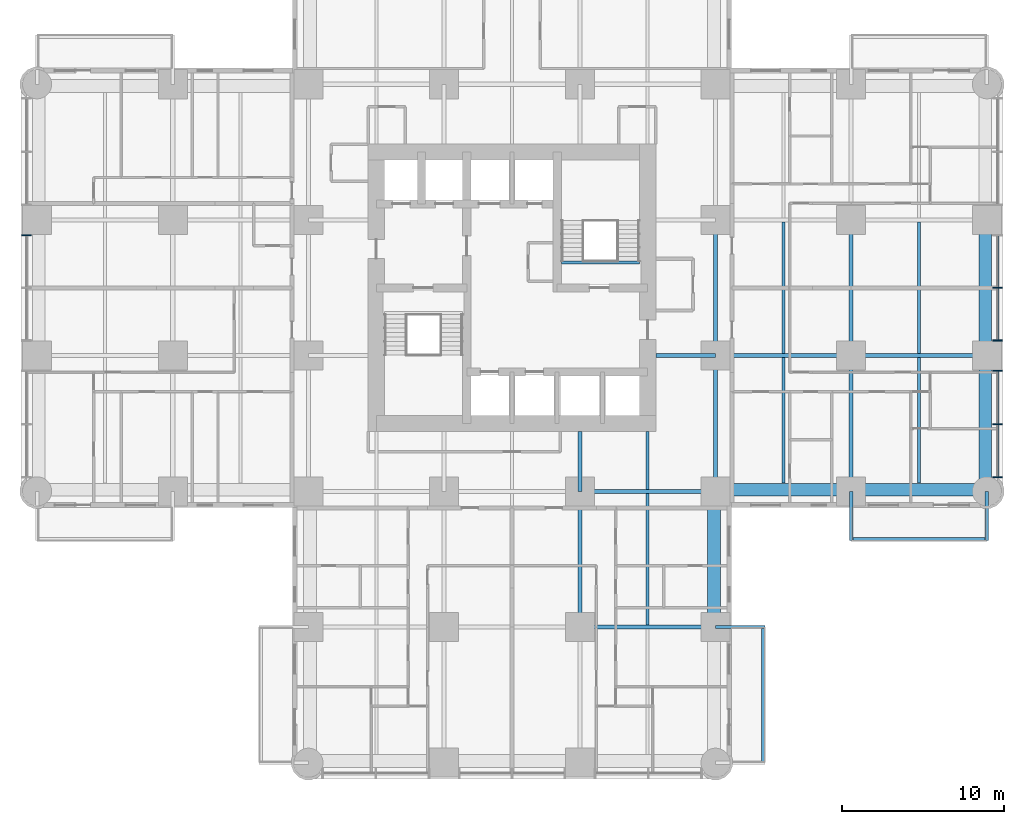
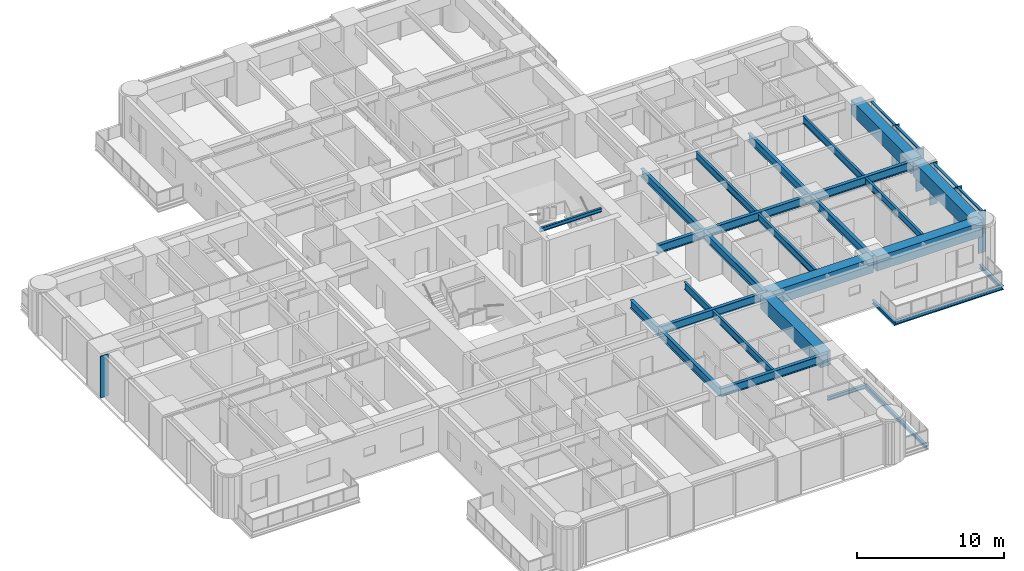
# One storey, part 3 of 17: 28 beams, 10 members, 2 elements without a shape of their own.
"""IFC4 building model written with IfcOpenShell, lengths in metres."""

from ifc_helpers import new_model, si_unit, direction, frame, origin, origin_2d, place, context, subcontext, project, spatial, rectangle, i_section, extrude, material, material_profile, profile_set, type_object, element, aggregate, save


model = new_model("IFC4")

# Units and contexts
model_context = context("Model", 3, precision=1e-05, world=origin(), true_north=direction((0.0, 1.0)))
body_context = subcontext(model_context, "Body", "Model", "MODEL_VIEW")
ifc_project = project(units=[si_unit("LENGTHUNIT", "METRE"), si_unit("AREAUNIT", "SQUARE_METRE"), si_unit("VOLUMEUNIT", "CUBIC_METRE"), si_unit("PLANEANGLEUNIT", "RADIAN"), si_unit("MASSUNIT", "GRAM", prefix="KILO")], contexts=[model_context])

# Site, building, storey
site_placement = place(None, origin())
site = spatial("IfcSite", under=ifc_project, at=site_placement, CompositionType="ELEMENT")
building_placement = place(site_placement, origin())
building = spatial("IfcBuilding", under=site, at=building_placement, Name="Torre Alcanfor", CompositionType="ELEMENT")
storey_placement = place(building_placement, frame((0.0, 0.0, 38.10009765625)))
storey = spatial("IfcBuildingStorey", under=building, at=storey_placement, Name="L08", CompositionType="ELEMENT", Elevation=38.10009765625)

# Beams
ifc_material_1 = material(Name="Steel ASTM A992 Grade 50", Category="steel")
ifc_material_profile_1 = material_profile(ifc_material_1, i_section(OverallWidth=0.205322265625, OverallDepth=0.309814453125, WebThickness=0.00927734375, FlangeThickness=0.016357421875, at=origin_2d()), Name="W12x50")
ifc_profile_set_1 = profile_set([ifc_material_profile_1], Name="Steel ASTM A992 Grade 50")
beam_type_1 = type_object("IfcBeamType", Name="Balcony cantilever beam W12x50", PredefinedType="BEAM", material=ifc_profile_set_1)
for number, where, z_axis, x_axis, name in (
    (1, (50.39990234375, 16.800048828125, -0.35498046875), (0.0, -1.0, 0.0), (1.0, 0.0, 0.0), "Balcony cantilever beam L08-E2 1"),
    (2, (58.800048828125, 16.800048828125, -0.35498046875), (0.0, -1.0, 0.0), (1.0, 0.0, 0.0), "Balcony cantilever beam L08-E2 2"),
    (3, (42.0, 8.39990234375, -0.35498046875), (1.0, 0.0, 0.0), (0.0, 1.0, 0.0), "Balcony cantilever beam L08-S1 1"),
):
    element("IfcBeam", number, at=place(storey_placement, frame(where, z_axis=z_axis, x_axis=x_axis)), inside=storey, type_object=beam_type_1, Name=name, PredefinedType="BEAM", context=body_context, shape_type="SweptSolid", body=[
        extrude(i_section(OverallWidth=0.205322265625, OverallDepth=0.309814453125, WebThickness=0.00927734375, FlangeThickness=0.016357421875, at=origin_2d()), origin(), (0.0, 0.0, 1.0), 3.050048828125),
    ])
ifc_material_2 = material(Name="Steel ASTM A992 Grade 50", Category="steel")
ifc_material_profile_2 = material_profile(ifc_material_2, i_section(OverallWidth=0.203369140625, OverallDepth=0.30224609375, WebThickness=0.007568359375, FlangeThickness=0.01318359375, at=origin_2d()), Name="W12x40")
ifc_profile_set_2 = profile_set([ifc_material_profile_2], Name="Steel ASTM A992 Grade 50")
beam_type_2 = type_object("IfcBeamType", Name="Balcony edge trimmer W12x40", PredefinedType="BEAM", material=ifc_profile_set_2)
beam_1_placement = place(storey_placement, frame((50.39990234375, 13.851806640625, -0.351318359375), z_axis=(1.0, 0.0, 0.0), x_axis=(0.0, 1.0, 0.0)))
element("IfcBeam", 4, at=beam_1_placement, inside=storey, type_object=beam_type_2, Name="Balcony edge trimmer L08-E2", PredefinedType="BEAM", context=body_context, shape_type="SweptSolid", body=[
    extrude(i_section(OverallWidth=0.203369140625, OverallDepth=0.30224609375, WebThickness=0.007568359375, FlangeThickness=0.01318359375, at=origin_2d()), origin(), (0.0, 0.0, 1.0), 8.400146484375),
])
beam_2_placement = place(storey_placement, frame((44.9482421875, 8.39990234375, -0.351318359375), z_axis=(0.0, -1.0, 0.0), x_axis=(1.0, 0.0, 0.0)))
element("IfcBeam", 5, at=beam_2_placement, inside=storey, type_object=beam_type_2, Name="Balcony edge trimmer L08-S1", PredefinedType="BEAM", context=body_context, shape_type="SweptSolid", body=[
    extrude(i_section(OverallWidth=0.203369140625, OverallDepth=0.30224609375, WebThickness=0.007568359375, FlangeThickness=0.01318359375, at=origin_2d()), origin(), (0.0, 0.0, 1.0), 8.39990234375),
])

# Curtain wall, member
ifc_material_3 = material(Name="Aluminium and glass", Category="aluminium")
curtain_wall_type = type_object("IfcCurtainWallType", Name="CW-A unitised apartment glazing with vertical FIN", PredefinedType="NOTDEFINED", material=ifc_material_3)
curtain_wall_1_placement = place(storey_placement, origin())
curtain_wall_1 = element("IfcCurtainWall", 6, at=curtain_wall_1_placement, inside=storey, type_object=curtain_wall_type, Name="Curtain wall CW-A L08 2", PredefinedType="NOTDEFINED")
ifc_material_4 = material(Name="Bronze anodised aluminium", Category="aluminium")
ifc_material_profile_3 = material_profile(ifc_material_4, rectangle(XDim=0.60009765625, YDim=0.06494140625, at=origin_2d()), Name="CW-A mullion 65x600")
ifc_profile_set_3 = profile_set([ifc_material_profile_3], Name="Bronze anodised aluminium")
member_type_1 = type_object("IfcMemberType", Name="CW-A mullion with vertical FIN 65x600", PredefinedType="MULLION", material=ifc_profile_set_3)
member_1_placement = place(storey_placement, frame((-0.64990234375, 32.66259765625, 0.0), z_axis=(0.0, 0.0, 1.0), x_axis=(1.0, 0.0, 0.0)))
member_1 = element("IfcMember", 7, at=member_1_placement, type_object=member_type_1, Name="CW-A mullion 2.1", PredefinedType="MULLION", context=body_context, shape_type="SweptSolid", body=[
    extrude(rectangle(XDim=0.60009765625, YDim=0.06494140625, at=origin_2d()), origin(), (0.0, 0.0, 1.0), 3.449951171875),
])
aggregate(curtain_wall_1, [member_1])

# Curtain wall, members
curtain_wall_2_placement = place(storey_placement, origin())
curtain_wall_2 = element("IfcCurtainWall", 8, at=curtain_wall_2_placement, inside=storey, type_object=curtain_wall_type, Name="Curtain wall CW-A L08 8", PredefinedType="NOTDEFINED")
member_2_placement = place(storey_placement, frame((59.449951171875, 17.6669921875, 0.0), z_axis=(0.0, 0.0, 1.0), x_axis=(-1.0, 0.0, 0.0)))
member_2 = element("IfcMember", 9, at=member_2_placement, type_object=member_type_1, Name="CW-A mullion 1.1", PredefinedType="MULLION", context=body_context, shape_type="SweptSolid", body=[
    extrude(rectangle(XDim=0.60009765625, YDim=0.06494140625, at=origin_2d()), origin(), (0.0, 0.0, 1.0), 3.449951171875),
])
member_3_placement = place(storey_placement, frame((59.449951171875, 20.96484375, 0.0), z_axis=(0.0, 0.0, 1.0), x_axis=(-1.0, 0.0, 0.0)))
member_3 = element("IfcMember", 10, at=member_3_placement, type_object=member_type_1, Name="CW-A mullion 1.2", PredefinedType="MULLION", context=body_context, shape_type="SweptSolid", body=[
    extrude(rectangle(XDim=0.60009765625, YDim=0.06494140625, at=origin_2d()), origin(), (0.0, 0.0, 1.0), 3.449951171875),
])
member_4_placement = place(storey_placement, frame((59.449951171875, 24.262451171875, 0.0), z_axis=(0.0, 0.0, 1.0), x_axis=(-1.0, 0.0, 0.0)))
member_4 = element("IfcMember", 11, at=member_4_placement, type_object=member_type_1, Name="CW-A mullion 1.3", PredefinedType="MULLION", context=body_context, shape_type="SweptSolid", body=[
    extrude(rectangle(XDim=0.60009765625, YDim=0.06494140625, at=origin_2d()), origin(), (0.0, 0.0, 1.0), 3.449951171875),
])
member_5_placement = place(storey_placement, frame((59.449951171875, 26.137451171875, 0.0), z_axis=(0.0, 0.0, 1.0), x_axis=(-1.0, 0.0, 0.0)))
member_5 = element("IfcMember", 12, at=member_5_placement, type_object=member_type_1, Name="CW-A mullion 2.1", PredefinedType="MULLION", context=body_context, shape_type="SweptSolid", body=[
    extrude(rectangle(XDim=0.60009765625, YDim=0.06494140625, at=origin_2d()), origin(), (0.0, 0.0, 1.0), 3.449951171875),
])
member_6_placement = place(storey_placement, frame((59.449951171875, 29.39990234375, 0.0), z_axis=(0.0, 0.0, 1.0), x_axis=(-1.0, 0.0, 0.0)))
member_6 = element("IfcMember", 13, at=member_6_placement, type_object=member_type_1, Name="CW-A mullion 2.2", PredefinedType="MULLION", context=body_context, shape_type="SweptSolid", body=[
    extrude(rectangle(XDim=0.60009765625, YDim=0.06494140625, at=origin_2d()), origin(), (0.0, 0.0, 1.0), 3.449951171875),
])
ifc_material_5 = material(Name="Extruded aluminium", Category="aluminium")
ifc_material_profile_4 = material_profile(ifc_material_5, rectangle(XDim=0.199951171875, YDim=0.06494140625, at=origin_2d()), Name="CW-A transom 200x65")
ifc_profile_set_4 = profile_set([ifc_material_profile_4], Name="Extruded aluminium")
member_type_2 = type_object("IfcMemberType", Name="CW-A transom 65x200", PredefinedType="USERDEFINED", material=ifc_profile_set_4)
member_7_placement = place(storey_placement, frame((59.449951171875, 17.699462890625, 3.41748046875), z_axis=(0.0, 1.0, 0.0), x_axis=(-1.0, 0.0, 0.0)))
member_7 = element("IfcMember", 14, at=member_7_placement, type_object=member_type_2, Name="CW-A transom 1.1.2", ObjectType="TRANSOM", PredefinedType="USERDEFINED", context=body_context, shape_type="SweptSolid", body=[
    extrude(rectangle(XDim=0.199951171875, YDim=0.06494140625, at=origin_2d()), origin(), (0.0, 0.0, 1.0), 3.232666015625),
])
member_8_placement = place(storey_placement, frame((59.449951171875, 20.997314453125, 3.41748046875), z_axis=(0.0, 1.0, 0.0), x_axis=(-1.0, 0.0, 0.0)))
member_8 = element("IfcMember", 15, at=member_8_placement, type_object=member_type_2, Name="CW-A transom 1.2.2", ObjectType="TRANSOM", PredefinedType="USERDEFINED", context=body_context, shape_type="SweptSolid", body=[
    extrude(rectangle(XDim=0.199951171875, YDim=0.06494140625, at=origin_2d()), origin(), (0.0, 0.0, 1.0), 3.232666015625),
])
member_9_placement = place(storey_placement, frame((59.449951171875, 26.169921875, 3.41748046875), z_axis=(0.0, 1.0, 0.0), x_axis=(-1.0, 0.0, 0.0)))
member_9 = element("IfcMember", 16, at=member_9_placement, type_object=member_type_2, Name="CW-A transom 2.1.2", ObjectType="TRANSOM", PredefinedType="USERDEFINED", context=body_context, shape_type="SweptSolid", body=[
    extrude(rectangle(XDim=0.199951171875, YDim=0.06494140625, at=origin_2d()), origin(), (0.0, 0.0, 1.0), 3.197509765625),
])
member_10_placement = place(storey_placement, frame((59.449951171875, 29.4326171875, 3.41748046875), z_axis=(0.0, 1.0, 0.0), x_axis=(-1.0, 0.0, 0.0)))
member_10 = element("IfcMember", 17, at=member_10_placement, type_object=member_type_2, Name="CW-A transom 2.2.2", ObjectType="TRANSOM", PredefinedType="USERDEFINED", context=body_context, shape_type="SweptSolid", body=[
    extrude(rectangle(XDim=0.199951171875, YDim=0.06494140625, at=origin_2d()), origin(), (0.0, 0.0, 1.0), 3.197265625),
])
aggregate(curtain_wall_2, [member_2, member_3, member_4, member_7, member_8, member_5, member_6, member_9, member_10])

# Beams
ifc_material_6 = material(Name="Steel ASTM A992 Grade 50", Category="steel")
ifc_material_profile_5 = material_profile(ifc_material_6, i_section(OverallWidth=0.25390625, OverallDepth=0.683349609375, WebThickness=0.012451171875, FlangeThickness=0.01904296875, at=origin_2d()), Name="W27x94")
ifc_profile_set_5 = profile_set([ifc_material_profile_5], Name="Steel ASTM A992 Grade 50")
beam_type_3 = type_object("IfcBeamType", Name="Girder W27x94", PredefinedType="BEAM", material=ifc_profile_set_5)
for number, where, z_axis, x_axis, name in (
    (18, (33.60009765625, 8.39990234375, 3.108154296875), (1.0, 0.0, 0.0), (0.0, 1.0, 0.0), "Beam 5D-6D under L09"),
    (19, (33.60009765625, 16.800048828125, 3.108154296875), (1.0, 0.0, 0.0), (0.0, 1.0, 0.0), "Beam 5E-6E under L09"),
    (20, (42.0, 25.199951171875, 3.108154296875), (1.0, 0.0, 0.0), (0.0, 1.0, 0.0), "Beam 6F-7F under L09"),
):
    element("IfcBeam", number, at=place(storey_placement, frame(where, z_axis=z_axis, x_axis=x_axis)), inside=storey, type_object=beam_type_3, Name=name, PredefinedType="BEAM", context=body_context, shape_type="SweptSolid", body=[
        extrude(i_section(OverallWidth=0.25390625, OverallDepth=0.683349609375, WebThickness=0.012451171875, FlangeThickness=0.01904296875, at=origin_2d()), origin(), (0.0, 0.0, 1.0), 8.39990234375),
    ])
for number, where, z_axis, x_axis, name in (
    (21, (50.39990234375, 25.199951171875, 3.108154296875), (1.0, 0.0, 0.0), (0.0, 1.0, 0.0), "Beam 7F-8F under L09"),
    (22, (33.60009765625, 8.39990234375, 3.108154296875), (0.0, 1.0, 0.0), (-1.0, 0.0, 0.0), "Beam 5D-5E under L09"),
):
    element("IfcBeam", number, at=place(storey_placement, frame(where, z_axis=z_axis, x_axis=x_axis)), inside=storey, type_object=beam_type_3, Name=name, PredefinedType="BEAM", context=body_context, shape_type="SweptSolid", body=[
        extrude(i_section(OverallWidth=0.25390625, OverallDepth=0.683349609375, WebThickness=0.012451171875, FlangeThickness=0.01904296875, at=origin_2d()), origin(), (0.0, 0.0, 1.0), 8.400146484375),
    ])
beam_3_placement = place(storey_placement, frame((42.0, 16.800048828125, 3.108154296875), z_axis=(0.0, 1.0, 0.0), x_axis=(-1.0, 0.0, 0.0)))
element("IfcBeam", 23, at=beam_3_placement, inside=storey, type_object=beam_type_3, Name="Beam 6E-6F under L09", PredefinedType="BEAM", context=body_context, shape_type="SweptSolid", body=[
    extrude(i_section(OverallWidth=0.25390625, OverallDepth=0.683349609375, WebThickness=0.012451171875, FlangeThickness=0.01904296875, at=origin_2d()), origin(), (0.0, 0.0, 1.0), 8.39990234375),
])
beam_4_placement = place(storey_placement, frame((42.0, 25.199951171875, 3.108154296875), z_axis=(0.0, 1.0, 0.0), x_axis=(-1.0, 0.0, 0.0)))
element("IfcBeam", 24, at=beam_4_placement, inside=storey, type_object=beam_type_3, Name="Beam 6F-6G under L09", PredefinedType="BEAM", context=body_context, shape_type="SweptSolid", body=[
    extrude(i_section(OverallWidth=0.25390625, OverallDepth=0.683349609375, WebThickness=0.012451171875, FlangeThickness=0.01904296875, at=origin_2d()), origin(), (0.0, 0.0, 1.0), 8.400146484375),
])
beam_5_placement = place(storey_placement, frame((50.39990234375, 16.800048828125, 3.108154296875), z_axis=(0.0, 1.0, 0.0), x_axis=(-1.0, 0.0, 0.0)))
element("IfcBeam", 25, at=beam_5_placement, inside=storey, type_object=beam_type_3, Name="Beam 7E-7F under L09", PredefinedType="BEAM", context=body_context, shape_type="SweptSolid", body=[
    extrude(i_section(OverallWidth=0.25390625, OverallDepth=0.683349609375, WebThickness=0.012451171875, FlangeThickness=0.01904296875, at=origin_2d()), origin(), (0.0, 0.0, 1.0), 8.39990234375),
])
beam_6_placement = place(storey_placement, frame((50.39990234375, 25.199951171875, 3.108154296875), z_axis=(0.0, 1.0, 0.0), x_axis=(-1.0, 0.0, 0.0)))
element("IfcBeam", 26, at=beam_6_placement, inside=storey, type_object=beam_type_3, Name="Beam 7F-7G under L09", PredefinedType="BEAM", context=body_context, shape_type="SweptSolid", body=[
    extrude(i_section(OverallWidth=0.25390625, OverallDepth=0.683349609375, WebThickness=0.012451171875, FlangeThickness=0.01904296875, at=origin_2d()), origin(), (0.0, 0.0, 1.0), 8.400146484375),
])
ifc_material_7 = material(Name="Steel ASTM A992 Grade 50", Category="steel")
ifc_material_profile_6 = material_profile(ifc_material_7, i_section(OverallWidth=0.25390625, OverallDepth=0.683349609375, WebThickness=0.012451171875, FlangeThickness=0.01904296875, at=origin_2d()), Name="W27x94")
ifc_profile_set_6 = profile_set([ifc_material_profile_6], Name="Steel ASTM A992 Grade 50")
beam_type_4 = type_object("IfcBeamType", Name="Girder, part bay W27x94", PredefinedType="BEAM", material=ifc_profile_set_6)
for number, where, z_axis, x_axis, name in (
    (27, (33.60009765625, 16.800048828125, 3.108154296875), (0.0, 1.0, 0.0), (-1.0, 0.0, 0.0), "Beam 5E-520_5 under L09"),
    (28, (42.0, 25.199951171875, 3.108154296875), (-1.0, 0.0, 0.0), (0.0, -1.0, 0.0), "Beam 6F-38_3F under L09"),
):
    element("IfcBeam", number, at=place(storey_placement, frame(where, z_axis=z_axis, x_axis=x_axis)), inside=storey, type_object=beam_type_4, Name=name, PredefinedType="BEAM", context=body_context, shape_type="SweptSolid", body=[
        extrude(i_section(OverallWidth=0.25390625, OverallDepth=0.683349609375, WebThickness=0.012451171875, FlangeThickness=0.01904296875, at=origin_2d()), origin(), (0.0, 0.0, 1.0), 3.699951171875),
    ])
ifc_material_8 = material(Name="Concrete f'c 70 MPa", Category="concrete")
ifc_material_profile_7 = material_profile(ifc_material_8, rectangle(XDim=0.800048828125, YDim=1.199951171875, at=origin_2d()), Name="800x1200")
ifc_profile_set_7 = profile_set([ifc_material_profile_7], Name="Concrete f'c 70 MPa")
beam_type_5 = type_object("IfcBeamType", Name="RC perimeter beam 800x1200", PredefinedType="BEAM", material=ifc_profile_set_7)
beam_7_placement = place(storey_placement, frame((42.126953125, 16.89990234375, 2.849853515625), z_axis=(1.0, 0.0, 0.0), x_axis=(0.0, 1.0, 0.0)))
element("IfcBeam", 29, at=beam_7_placement, inside=storey, type_object=beam_type_5, Name="Beam 6E-7E under L09", PredefinedType="BEAM", context=body_context, shape_type="SweptSolid", body=[
    extrude(rectangle(XDim=0.800048828125, YDim=1.199951171875, at=origin_2d()), origin(), (0.0, 0.0, 1.0), 8.14599609375),
])
beam_8_placement = place(storey_placement, frame((50.527099609375, 16.89990234375, 2.849853515625), z_axis=(1.0, 0.0, 0.0), x_axis=(0.0, 1.0, 0.0)))
element("IfcBeam", 30, at=beam_8_placement, inside=storey, type_object=beam_type_5, Name="Beam 7E-8E under L09", PredefinedType="BEAM", context=body_context, shape_type="SweptSolid", body=[
    extrude(rectangle(XDim=0.800048828125, YDim=1.199951171875, at=origin_2d()), origin(), (0.0, 0.0, 1.0), 8.27294921875),
])
beam_9_placement = place(storey_placement, frame((41.89990234375, 8.527099609375, 2.849853515625), z_axis=(0.0, 1.0, 0.0), x_axis=(-1.0, 0.0, 0.0)))
element("IfcBeam", 31, at=beam_9_placement, inside=storey, type_object=beam_type_5, Name="Beam 6D-6E under L09", PredefinedType="BEAM", context=body_context, shape_type="SweptSolid", body=[
    extrude(rectangle(XDim=0.800048828125, YDim=1.199951171875, at=origin_2d()), origin(), (0.0, 0.0, 1.0), 8.14599609375),
])
beam_10_placement = place(storey_placement, frame((58.699951171875, 16.800048828125, 2.849853515625), z_axis=(0.0, 1.0, 0.0), x_axis=(-1.0, 0.0, 0.0)))
element("IfcBeam", 32, at=beam_10_placement, inside=storey, type_object=beam_type_5, Name="Beam 8E-8F under L09", PredefinedType="BEAM", context=body_context, shape_type="SweptSolid", body=[
    extrude(rectangle(XDim=0.800048828125, YDim=1.199951171875, at=origin_2d()), origin(), (0.0, 0.0, 1.0), 8.27294921875),
])
beam_11_placement = place(storey_placement, frame((58.699951171875, 25.326904296875, 2.849853515625), z_axis=(0.0, 1.0, 0.0), x_axis=(-1.0, 0.0, 0.0)))
element("IfcBeam", 33, at=beam_11_placement, inside=storey, type_object=beam_type_5, Name="Beam 8F-8G under L09", PredefinedType="BEAM", context=body_context, shape_type="SweptSolid", body=[
    extrude(rectangle(XDim=0.800048828125, YDim=1.199951171875, at=origin_2d()), origin(), (0.0, 0.0, 1.0), 8.14599609375),
])
ifc_material_9 = material(Name="Steel ASTM A992 Grade 50", Category="steel")
ifc_material_profile_8 = material_profile(ifc_material_9, i_section(OverallWidth=0.1787109375, OverallDepth=0.60205078125, WebThickness=0.010986328125, FlangeThickness=0.014892578125, at=origin_2d()), Name="W24x62")
ifc_profile_set_8 = profile_set([ifc_material_profile_8], Name="Steel ASTM A992 Grade 50")
beam_type_6 = type_object("IfcBeamType", Name="Secondary beam W24x62", PredefinedType="BEAM", material=ifc_profile_set_8)
beam_12_placement = place(storey_placement, frame((37.800048828125, 8.527099609375, 3.14892578125), z_axis=(0.0, 1.0, 0.0), x_axis=(-1.0, 0.0, 0.0)))
element("IfcBeam", 34, at=beam_12_placement, inside=storey, type_object=beam_type_6, Name="Beam 37_8D-37_8E under L09", PredefinedType="BEAM", context=body_context, shape_type="SweptSolid", body=[
    extrude(i_section(OverallWidth=0.1787109375, OverallDepth=0.60205078125, WebThickness=0.010986328125, FlangeThickness=0.014892578125, at=origin_2d()), origin(), (0.0, 0.0, 1.0), 8.14599609375),
])
beam_13_placement = place(storey_placement, frame((46.199951171875, 17.300048828125, 3.14892578125), z_axis=(0.0, 1.0, 0.0), x_axis=(-1.0, 0.0, 0.0)))
element("IfcBeam", 35, at=beam_13_placement, inside=storey, type_object=beam_type_6, Name="Beam 46_2E-46_2F under L09", PredefinedType="BEAM", context=body_context, shape_type="SweptSolid", body=[
    extrude(i_section(OverallWidth=0.1787109375, OverallDepth=0.60205078125, WebThickness=0.010986328125, FlangeThickness=0.014892578125, at=origin_2d()), origin(), (0.0, 0.0, 1.0), 7.77294921875),
])
beam_14_placement = place(storey_placement, frame((46.199951171875, 25.326904296875, 3.14892578125), z_axis=(0.0, 1.0, 0.0), x_axis=(-1.0, 0.0, 0.0)))
element("IfcBeam", 36, at=beam_14_placement, inside=storey, type_object=beam_type_6, Name="Beam 46_2F-46_2G under L09", PredefinedType="BEAM", context=body_context, shape_type="SweptSolid", body=[
    extrude(i_section(OverallWidth=0.1787109375, OverallDepth=0.60205078125, WebThickness=0.010986328125, FlangeThickness=0.014892578125, at=origin_2d()), origin(), (0.0, 0.0, 1.0), 8.14599609375),
])
beam_15_placement = place(storey_placement, frame((54.60009765625, 17.300048828125, 3.14892578125), z_axis=(0.0, 1.0, 0.0), x_axis=(-1.0, 0.0, 0.0)))
element("IfcBeam", 37, at=beam_15_placement, inside=storey, type_object=beam_type_6, Name="Beam 54_6E-54_6F under L09", PredefinedType="BEAM", context=body_context, shape_type="SweptSolid", body=[
    extrude(i_section(OverallWidth=0.1787109375, OverallDepth=0.60205078125, WebThickness=0.010986328125, FlangeThickness=0.014892578125, at=origin_2d()), origin(), (0.0, 0.0, 1.0), 7.77294921875),
])
beam_16_placement = place(storey_placement, frame((54.60009765625, 25.326904296875, 3.14892578125), z_axis=(0.0, 1.0, 0.0), x_axis=(-1.0, 0.0, 0.0)))
element("IfcBeam", 38, at=beam_16_placement, inside=storey, type_object=beam_type_6, Name="Beam 54_6F-54_6G under L09", PredefinedType="BEAM", context=body_context, shape_type="SweptSolid", body=[
    extrude(i_section(OverallWidth=0.1787109375, OverallDepth=0.60205078125, WebThickness=0.010986328125, FlangeThickness=0.014892578125, at=origin_2d()), origin(), (0.0, 0.0, 1.0), 8.14599609375),
])
ifc_material_10 = material(Name="Steel ASTM A992 Grade 50", Category="steel")
ifc_material_profile_9 = material_profile(ifc_material_10, i_section(OverallWidth=0.1787109375, OverallDepth=0.60205078125, WebThickness=0.010986328125, FlangeThickness=0.014892578125, at=origin_2d()), Name="W24x62")
ifc_profile_set_9 = profile_set([ifc_material_profile_9], Name="Steel ASTM A992 Grade 50")
beam_type_7 = type_object("IfcBeamType", Name="Secondary beam, part bay W24x62", PredefinedType="BEAM", material=ifc_profile_set_9)
beam_17_placement = place(storey_placement, frame((37.800048828125, 16.927001953125, 3.14892578125), z_axis=(0.0, 1.0, 0.0), x_axis=(-1.0, 0.0, 0.0)))
element("IfcBeam", 39, at=beam_17_placement, inside=storey, type_object=beam_type_7, Name="Beam 37_8E-37_820_5 under L09", PredefinedType="BEAM", context=body_context, shape_type="SweptSolid", body=[
    extrude(i_section(OverallWidth=0.1787109375, OverallDepth=0.60205078125, WebThickness=0.010986328125, FlangeThickness=0.014892578125, at=origin_2d()), origin(), (0.0, 0.0, 1.0), 3.572998046875),
])
ifc_material_11 = material(Name="Steel ASTM A992 Grade 50", Category="steel")
ifc_material_profile_10 = material_profile(ifc_material_11, i_section(OverallWidth=0.164794921875, OverallDepth=0.309814453125, WebThickness=0.005859375, FlangeThickness=0.009765625, at=origin_2d()), Name="W12x26")
ifc_profile_set_10 = profile_set([ifc_material_profile_10], Name="Steel ASTM A992 Grade 50")
beam_type_8 = type_object("IfcBeamType", Name="Stair landing beam W12x26", PredefinedType="BEAM", material=ifc_profile_set_10)
beam_18_placement = place(storey_placement, frame((32.449951171875, 30.962646484375, 3.244873046875), z_axis=(1.0, 0.0, 0.0), x_axis=(0.0, 1.0, 0.0)))
element("IfcBeam", 40, at=beam_18_placement, inside=storey, type_object=beam_type_8, Name="Landing trimmer S2 L09", PredefinedType="BEAM", context=body_context, shape_type="SweptSolid", body=[
    extrude(i_section(OverallWidth=0.164794921875, OverallDepth=0.309814453125, WebThickness=0.005859375, FlangeThickness=0.009765625, at=origin_2d()), origin(), (0.0, 0.0, 1.0), 4.85009765625),
])

save(model, "model.ifc")
